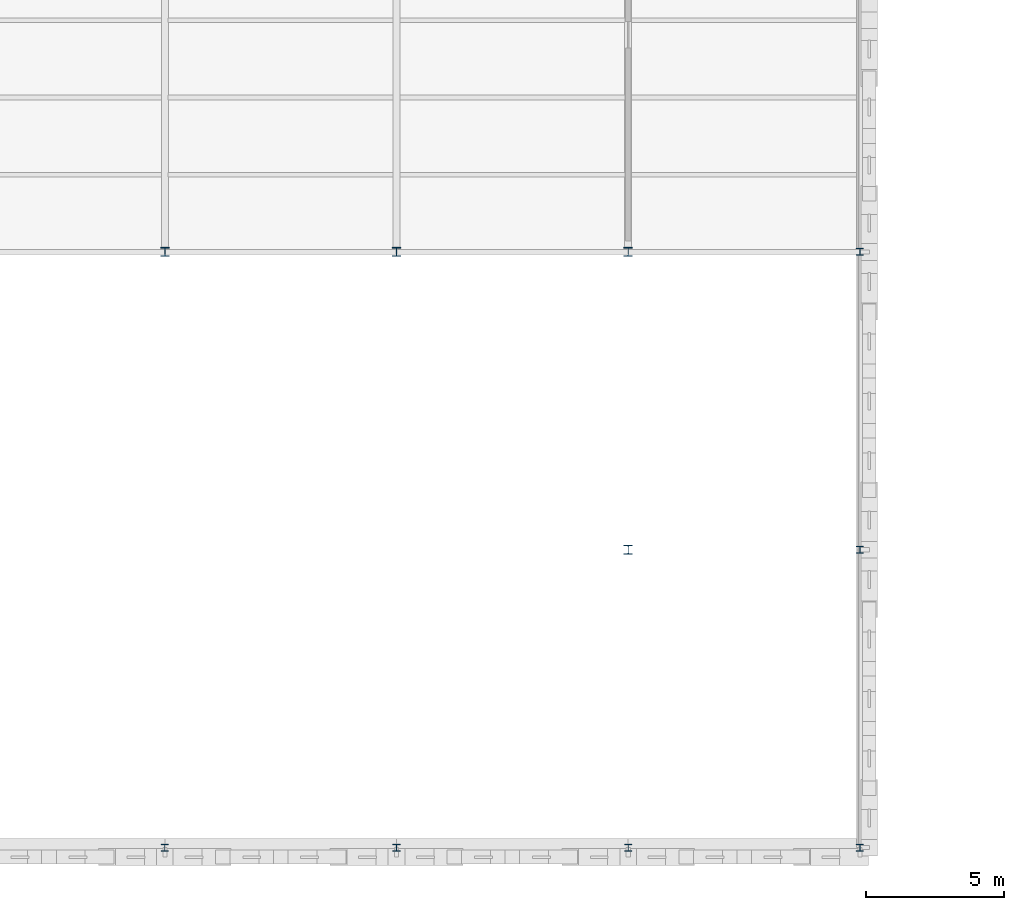
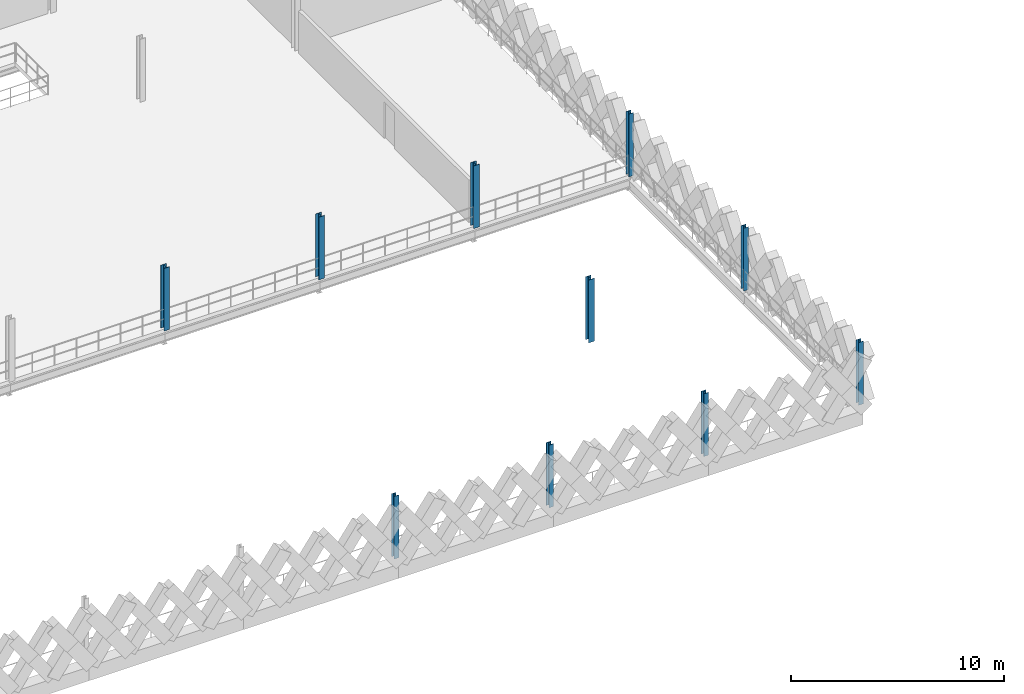
# One storey, part 5 of 47: 10 columns.
"""IFC4 building model written with IfcOpenShell, lengths in metres."""

from ifc_helpers import new_model, si_unit, direction, frame, origin, origin_2d, place, context, subcontext, project, spatial, i_section, extrude, material, material_profile, profile_set, type_object, element, save


model = new_model("IFC4")

# Units and contexts
model_context = context("Model", 3, precision=1e-05, world=origin(), true_north=direction((0.0, 1.0)))
body_context = subcontext(model_context, "Body", "Model", "MODEL_VIEW")
ifc_project = project(units=[si_unit("LENGTHUNIT", "METRE"), si_unit("AREAUNIT", "SQUARE_METRE"), si_unit("VOLUMEUNIT", "CUBIC_METRE"), si_unit("PLANEANGLEUNIT", "RADIAN"), si_unit("MASSUNIT", "GRAM", prefix="KILO"), si_unit("THERMODYNAMICTEMPERATUREUNIT", "KELVIN"), si_unit("POWERUNIT", "WATT")], contexts=[model_context])

# Site, building, storey
site_placement = place(None, origin())
site = spatial("IfcSite", under=ifc_project, at=site_placement, CompositionType="ELEMENT")
building_placement = place(site_placement, origin())
building = spatial("IfcBuilding", under=site, at=building_placement, Name="Tembeka Court Mobility Hub", CompositionType="ELEMENT")
storey_placement = place(building_placement, frame((0.0, 0.0, 19.800048828125)))
storey = spatial("IfcBuildingStorey", under=building, at=storey_placement, Name="L05", CompositionType="ELEMENT", Elevation=19.800048828125)

# Columns
ifc_material = material(Name="Steel S355", Category="steel")
ifc_material_profile_1 = material_profile(ifc_material, i_section(OverallWidth=0.30908203125, OverallDepth=0.321044921875, WebThickness=0.013916015625, FlangeThickness=0.021728515625, FilletRadius=0.01513671875, at=origin_2d()), Name="UKC 305x305x137")
ifc_profile_set_1 = profile_set([ifc_material_profile_1], Name="Steel S355")
column_type_1 = type_object("IfcColumnType", Name="COL-C04", PredefinedType="COLUMN", material=ifc_profile_set_1)
for number, where, z_axis, x_axis, name in (
    (1, (67.199951171875, 21.60009765625, 0.0), (0.0, 0.0, 1.0), (1.0, 0.0, 0.0), "Column C04 (L05-094)"),
    (2, (75.60009765625, 21.60009765625, 0.0), (0.0, 0.0, 1.0), (1.0, 0.0, 0.0), "Column C04 (L05-104)"),
    (3, (84.0, 10.800048828125, 0.0), (0.0, 0.0, 1.0), (1.0, 0.0, 0.0), "Column C04 (L05-114)"),
    (4, (84.0, 21.60009765625, 0.0), (0.0, 0.0, 1.0), (1.0, 0.0, 0.0), "Column C04 (L05-115)"),
):
    element("IfcColumn", number, at=place(storey_placement, frame(where, z_axis=z_axis, x_axis=x_axis)), inside=storey, type_object=column_type_1, Name=name, PredefinedType="COLUMN", context=body_context, shape_type="SweptSolid", body=[
        extrude(i_section(OverallWidth=0.30908203125, OverallDepth=0.321044921875, WebThickness=0.013916015625, FlangeThickness=0.021728515625, FilletRadius=0.01513671875, at=origin_2d()), origin(), (0.0, 0.0, 1.0), 3.599853515625),
    ])
ifc_material_profile_2 = material_profile(ifc_material, i_section(OverallWidth=0.256103515625, OverallDepth=0.260009765625, WebThickness=0.01025390625, FlangeThickness=0.017333984375, FilletRadius=0.0126953125, at=origin_2d()), Name="UKC 254x254x89")
ifc_profile_set_2 = profile_set([ifc_material_profile_2], Name="Steel S355")
column_type_2 = type_object("IfcColumnType", Name="COL-C05", PredefinedType="COLUMN", material=ifc_profile_set_2)
for number, where, z_axis, x_axis, name in (
    (5, (67.199951171875, 0.0, 0.0), (0.0, 0.0, 1.0), (1.0, 0.0, 0.0), "Column C05 (L05-093)"),
    (6, (75.60009765625, 0.0, 0.0), (0.0, 0.0, 1.0), (1.0, 0.0, 0.0), "Column C05 (L05-103)"),
    (7, (84.0, 0.0, 0.0), (0.0, 0.0, 1.0), (1.0, 0.0, 0.0), "Column C05 (L05-113)"),
    (8, (92.39990234375, 0.0, 0.0), (0.0, 0.0, 1.0), (1.0, 0.0, 0.0), "Column C05 (L05-125)"),
    (9, (92.39990234375, 10.800048828125, 0.0), (0.0, 0.0, 1.0), (1.0, 0.0, 0.0), "Column C05 (L05-126)"),
    (10, (92.39990234375, 21.60009765625, 0.0), (0.0, 0.0, 1.0), (1.0, 0.0, 0.0), "Column C05 (L05-127)"),
):
    element("IfcColumn", number, at=place(storey_placement, frame(where, z_axis=z_axis, x_axis=x_axis)), inside=storey, type_object=column_type_2, Name=name, PredefinedType="COLUMN", context=body_context, shape_type="SweptSolid", body=[
        extrude(i_section(OverallWidth=0.256103515625, OverallDepth=0.260009765625, WebThickness=0.01025390625, FlangeThickness=0.017333984375, FilletRadius=0.0126953125, at=origin_2d()), origin(), (0.0, 0.0, 1.0), 3.599853515625),
    ])

save(model, "model.ifc")
